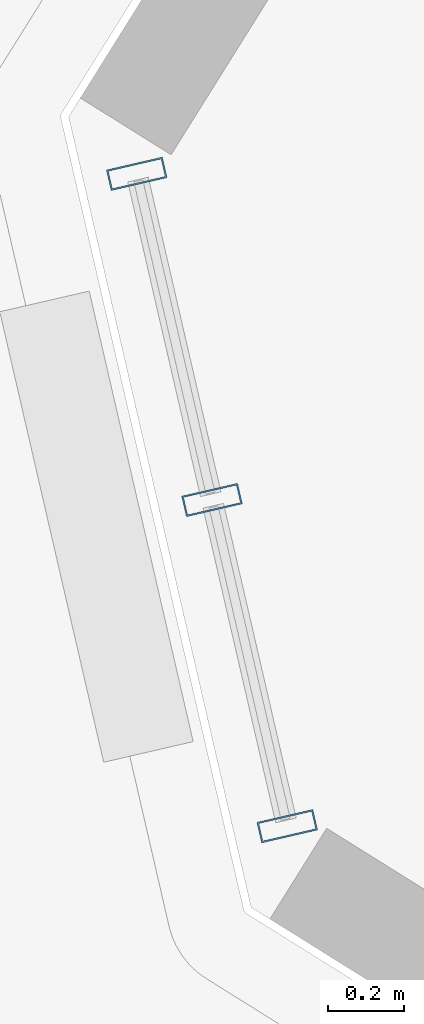
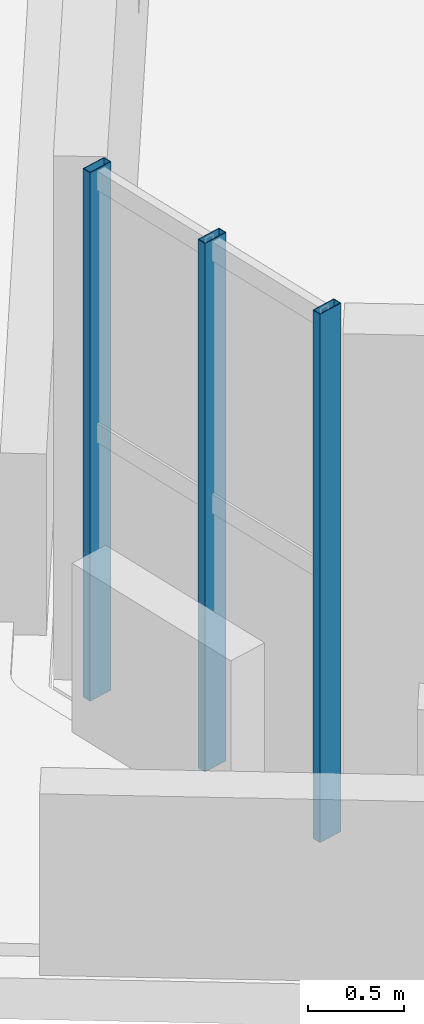
# One storey, part 2 of 8: 3 members, 1 element without a shape of its own.
"""IFC4 building model written with IfcOpenShell, lengths in metres."""

from ifc_helpers import new_model, si_unit, direction, frame, origin, origin_2d, place, context, subcontext, project, spatial, hollow_rectangle, extrude, source, transform, mapped, material, material_profile, profile_set, type_object, element, aggregate, save


model = new_model("IFC4")

# Units and contexts
model_context = context("Model", 3, precision=1e-05, world=origin(), true_north=direction((0.0, 1.0)))
body_context = subcontext(model_context, "Body", "Model", "MODEL_VIEW")
ifc_project = project(units=[si_unit("LENGTHUNIT", "METRE"), si_unit("AREAUNIT", "SQUARE_METRE"), si_unit("VOLUMEUNIT", "CUBIC_METRE"), si_unit("PLANEANGLEUNIT", "RADIAN"), si_unit("MASSUNIT", "GRAM", prefix="KILO")], contexts=[model_context])

# Site, building, storey
site_placement = place(None, origin())
site = spatial("IfcSite", under=ifc_project, at=site_placement, CompositionType="ELEMENT")
building_placement = place(site_placement, origin())
building = spatial("IfcBuilding", under=site, at=building_placement, Name="Tlacorven Tower", CompositionType="ELEMENT")
storey_placement = place(building_placement, frame((0.0, 0.0, 302.39990234375)))
storey = spatial("IfcBuildingStorey", under=building, at=storey_placement, Name="L77", CompositionType="ELEMENT", Elevation=302.39990234375)

# Curtain wall, members
ifc_material_1 = material(Name="Dark solar low-E double glazing in aluminium frame", Category="aluminium")
curtain_wall_type = type_object("IfcCurtainWallType", Name="CW-CRN-LANTERN", PredefinedType="USERDEFINED", material=ifc_material_1)
curtain_wall_placement = place(storey_placement, origin())
curtain_wall = element("IfcCurtainWall", 1, at=curtain_wall_placement, inside=storey, type_object=curtain_wall_type, Name="L77 CW-CRN-LANTERN Curtain Wall 358", ObjectType="UNITISED CURTAIN WALL", PredefinedType="USERDEFINED")
ifc_material_2 = material(Name="Aluminium 6063-T6 anodised", Category="aluminium")
ifc_material_profile = material_profile(ifc_material_2, hollow_rectangle(XDim=0.054931640625, YDim=0.14990234375, WallThickness=0.00390625, at=origin_2d()), Name="ALU MULLION 55X150")
ifc_profile_set = profile_set([ifc_material_profile], Name="Aluminium 6063-T6 anodised")
member_type = type_object("IfcMemberType", Name="CWM-04", PredefinedType="MULLION", material=ifc_profile_set)
shared_shape = source(origin(), body_context, "Body", "SweptSolid", [
    extrude(hollow_rectangle(XDim=0.054931640625, YDim=0.14990234375, WallThickness=0.00390625, at=origin_2d()), origin(), (0.0, 0.0, 1.0), 3.35009765625),
])
member_1_placement = place(storey_placement, frame((12.29736328125, 19.250732421875, -0.02001953125), z_axis=(0.0, 0.0, 1.0), x_axis=(-0.22494970827, 0.97437037555, 0.0)))
member_1 = element("IfcMember", 2, at=member_1_placement, type_object=member_type, Name="CW-L77-358 Mullion 1", PredefinedType="MULLION", context=body_context, shape_type="MappedRepresentation", body=[
    mapped(shared_shape, transform((0.0, 0.0, 0.0), scale=1.0)),
])
member_2_placement = place(storey_placement, frame((12.1005859375, 20.103515625, -0.02001953125), z_axis=(0.0, 0.0, 1.0), x_axis=(-0.22494970827, 0.97437037555, 0.0)))
member_2 = element("IfcMember", 3, at=member_2_placement, type_object=member_type, Name="CW-L77-358 Mullion 2", PredefinedType="MULLION", context=body_context, shape_type="MappedRepresentation", body=[
    mapped(shared_shape, transform((0.0, 0.0, 0.0), scale=1.0)),
])
member_3_placement = place(storey_placement, frame((11.90380859375, 20.956298828125, -0.02001953125), z_axis=(0.0, 0.0, 1.0), x_axis=(-0.22494970827, 0.97437037555, 0.0)))
member_3 = element("IfcMember", 4, at=member_3_placement, type_object=member_type, Name="CW-L77-358 Mullion 3", PredefinedType="MULLION", context=body_context, shape_type="MappedRepresentation", body=[
    mapped(shared_shape, transform((0.0, 0.0, 0.0), scale=1.0)),
])
aggregate(curtain_wall, [member_1, member_2, member_3])

save(model, "model.ifc")
